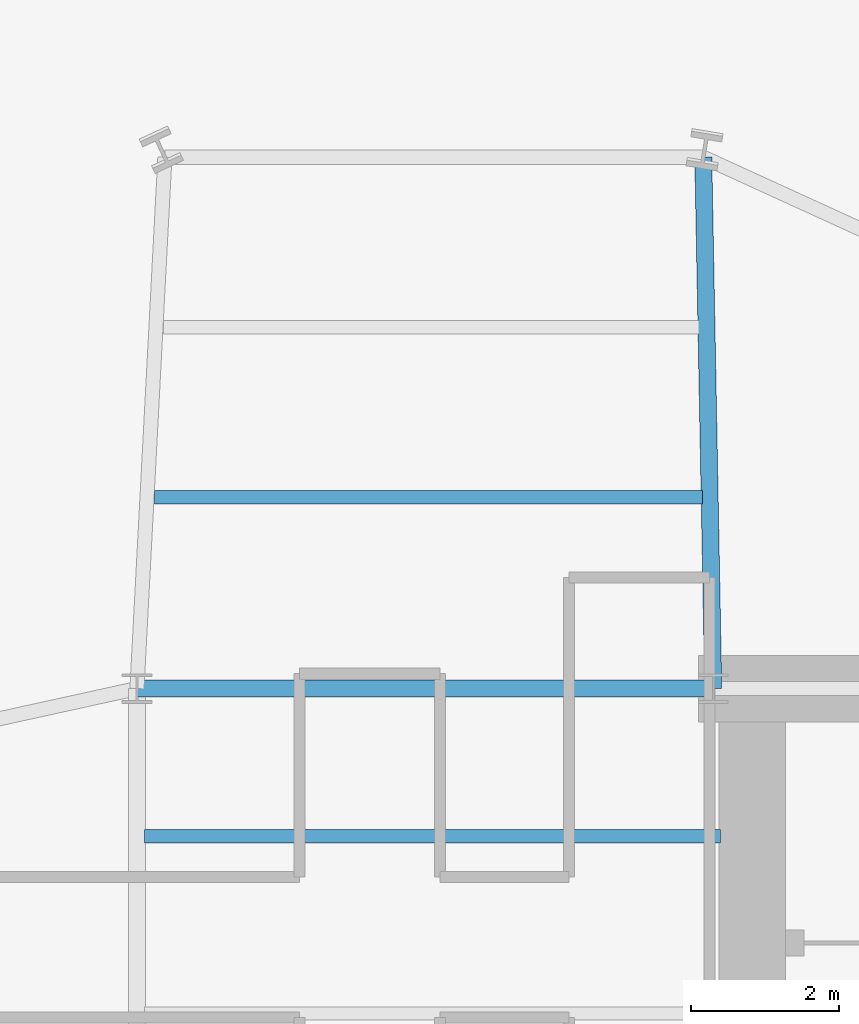
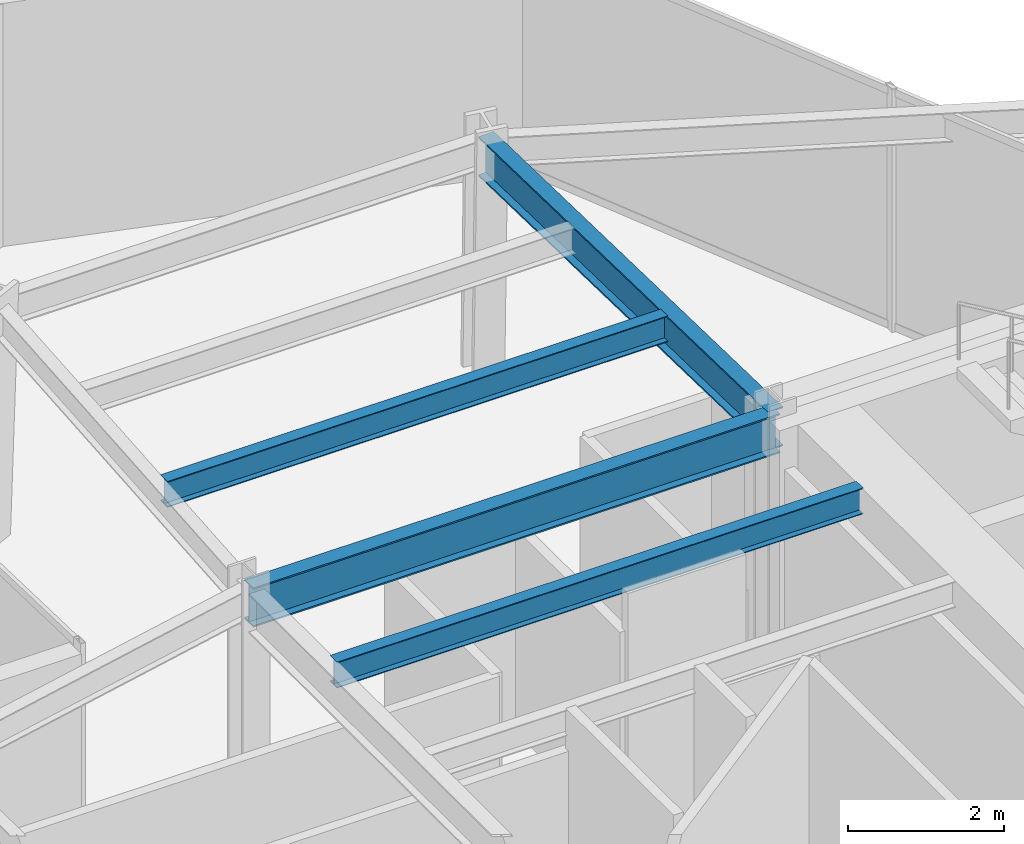
# One storey, part 10 of 26: 4 beams.
"""IFC4 building model written with IfcOpenShell, lengths in metres."""

from ifc_helpers import new_model, si_unit, direction, frame, origin, origin_2d, place, context, subcontext, project, spatial, i_section, extrude, material, material_profile, profile_set, type_object, element, save


model = new_model("IFC4")

# Units and contexts
model_context = context("Model", 3, precision=1e-05, world=origin(), true_north=direction((0.0, 1.0)))
body_context = subcontext(model_context, "Body", "Model", "MODEL_VIEW")
ifc_project = project(units=[si_unit("LENGTHUNIT", "METRE"), si_unit("AREAUNIT", "SQUARE_METRE"), si_unit("VOLUMEUNIT", "CUBIC_METRE"), si_unit("PLANEANGLEUNIT", "RADIAN"), si_unit("MASSUNIT", "GRAM", prefix="KILO")], contexts=[model_context])

# Site, building, storey
site_placement = place(None, origin())
site = spatial("IfcSite", under=ifc_project, at=site_placement, CompositionType="ELEMENT")
building_placement = place(site_placement, origin())
building = spatial("IfcBuilding", under=site, at=building_placement, Name="Veymaron Broadcast Tower", CompositionType="ELEMENT")
storey_placement = place(building_placement, frame((0.0, 0.0, 90.449951171875)))
storey = spatial("IfcBuildingStorey", under=building, at=storey_placement, Name="L20", CompositionType="ELEMENT", Elevation=90.449951171875)

# Beams
ifc_material = material(Name="Structural steel ASTM A992 Gr 50", Category="steel")
ifc_material_profile_1 = material_profile(ifc_material, i_section(OverallWidth=0.22998046875, OverallDepth=0.616943359375, WebThickness=0.01318359375, FlangeThickness=0.022216796875, at=origin_2d()), Name="W610X140")
ifc_profile_set_1 = profile_set([ifc_material_profile_1], Name="Structural steel ASTM A992 Gr 50")
beam_type_1 = type_object("IfcBeamType", Name="BM-FG1", PredefinedType="BEAM", material=ifc_profile_set_1)
beam_1_placement = place(storey_placement, frame((31.199951171875, 32.0, 3.50146484375), z_axis=(1.0, 0.0, 0.0), x_axis=(0.0, 1.0, 0.0)))
element("IfcBeam", 1, at=beam_1_placement, inside=storey, type_object=beam_type_1, Name="L20 primary structural floor girder", PredefinedType="BEAM", context=body_context, shape_type="SweptSolid", body=[
    extrude(i_section(OverallWidth=0.22998046875, OverallDepth=0.616943359375, WebThickness=0.01318359375, FlangeThickness=0.022216796875, at=origin_2d()), origin(), (0.0, 0.0, 1.0), 7.800048828125),
])
beam_2_placement = place(storey_placement, frame((39.0, 32.0, 3.50146484375), z_axis=(-0.018774279541, 0.999823747681, 0.0), x_axis=(-0.999823747681, -0.018774279541, 0.0)))
element("IfcBeam", 2, at=beam_2_placement, inside=storey, type_object=beam_type_1, Name="L20 primary structural floor girder", PredefinedType="BEAM", context=body_context, shape_type="SweptSolid", body=[
    extrude(i_section(OverallWidth=0.22998046875, OverallDepth=0.616943359375, WebThickness=0.01318359375, FlangeThickness=0.022216796875, at=origin_2d()), origin(), (0.0, 0.0, 1.0), 7.191162109375),
])
ifc_material_profile_2 = material_profile(ifc_material, i_section(OverallWidth=0.177978515625, OverallDepth=0.406982421875, WebThickness=0.0078125, FlangeThickness=0.0126953125, at=origin_2d()), Name="W410X60")
ifc_profile_set_2 = profile_set([ifc_material_profile_2], Name="Structural steel ASTM A992 Gr 50")
beam_type_2 = type_object("IfcBeamType", Name="BM-JS1", PredefinedType="JOIST", material=ifc_profile_set_2)
beam_3_placement = place(storey_placement, frame((31.43603515625, 34.58837890625, 3.6064453125), z_axis=(1.0, 0.0, 0.0), x_axis=(0.0, 1.0, 0.0)))
element("IfcBeam", 3, at=beam_3_placement, inside=storey, type_object=beam_type_2, Name="L20 Arm-B secondary joist 1", PredefinedType="JOIST", context=body_context, shape_type="SweptSolid", body=[
    extrude(i_section(OverallWidth=0.177978515625, OverallDepth=0.406982421875, WebThickness=0.0078125, FlangeThickness=0.0126953125, at=origin_2d()), origin(), (0.0, 0.0, 1.0), 7.415283203125),
])
beam_4_placement = place(storey_placement, frame((31.300048828125, 30.0, 3.6064453125), z_axis=(1.0, 0.0, 0.0), x_axis=(0.0, 1.0, 0.0)))
element("IfcBeam", 4, at=beam_4_placement, inside=storey, type_object=beam_type_2, Name="L20 Hub secondary joist 4", PredefinedType="JOIST", context=body_context, shape_type="SweptSolid", body=[
    extrude(i_section(OverallWidth=0.177978515625, OverallDepth=0.406982421875, WebThickness=0.0078125, FlangeThickness=0.0126953125, at=origin_2d()), origin(), (0.0, 0.0, 1.0), 7.800048828125),
])

save(model, "model.ifc")
